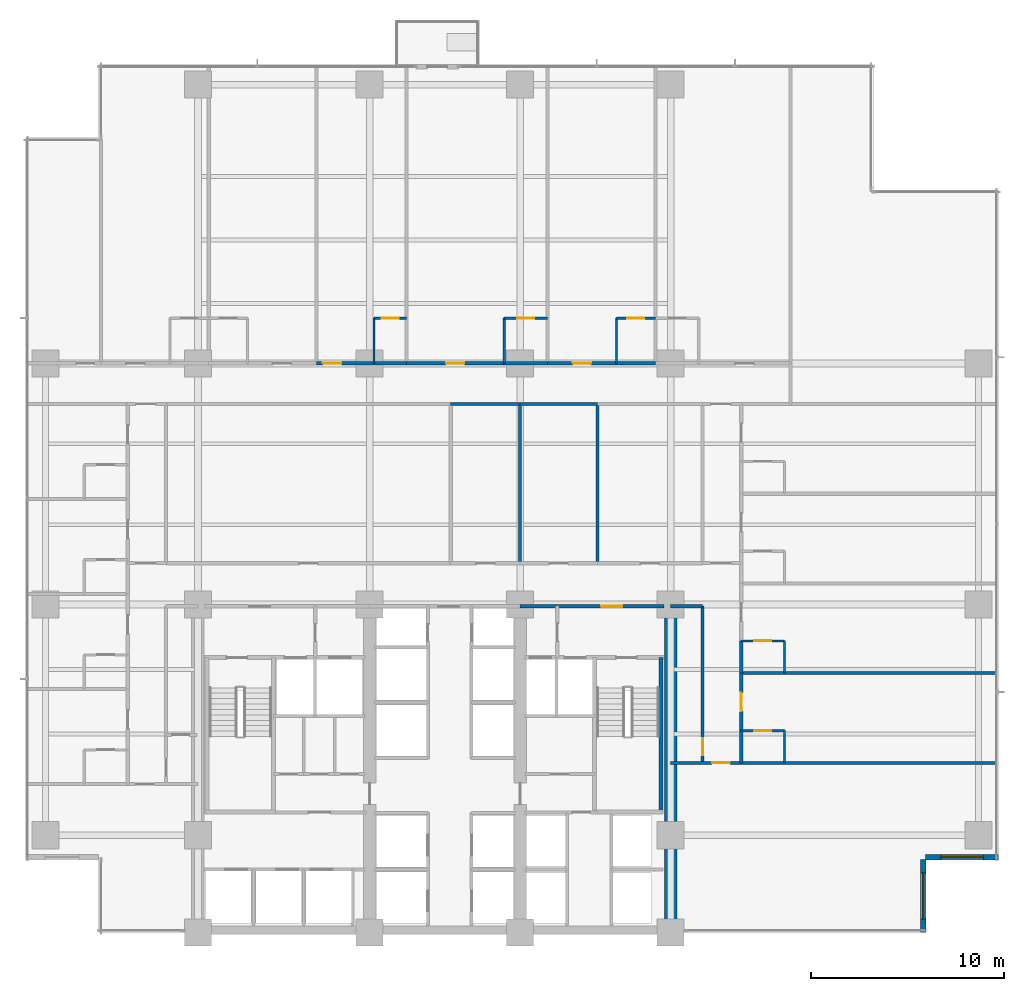
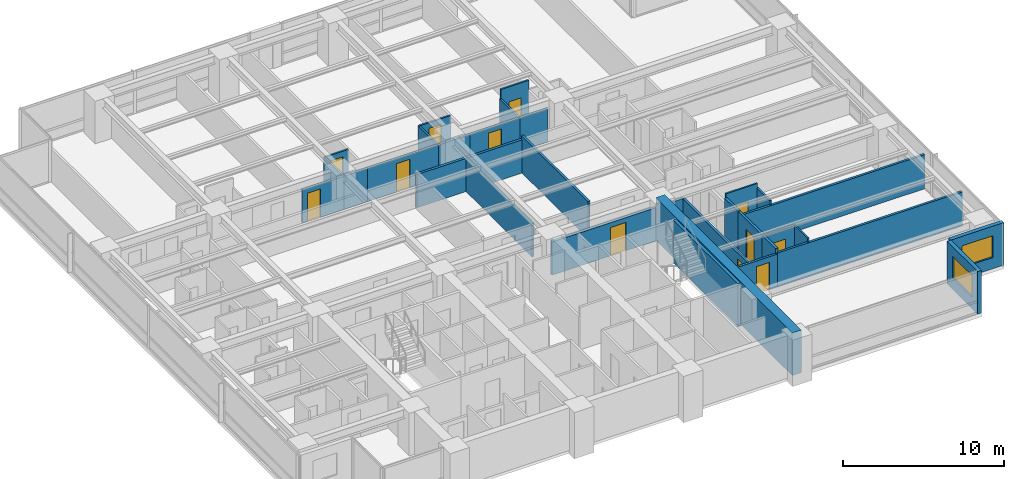
# One storey, part 10 of 17: 33 walls, 12 doors, 2 windows, 14 openings.
"""IFC4 building model written with IfcOpenShell, lengths in metres."""

from ifc_helpers import new_model, si_unit, direction, frame, frame_2d, origin, place, context, subcontext, project, spatial, rectangle, extrude, material, layer, layer_set, type_object, element, fill, save


model = new_model("IFC4")

# Units and contexts
model_context = context("Model", 3, precision=1e-05, world=origin(), true_north=direction((0.0, 1.0)))
body_context = subcontext(model_context, "Body", "Model", "MODEL_VIEW")
ifc_project = project(units=[si_unit("LENGTHUNIT", "METRE"), si_unit("AREAUNIT", "SQUARE_METRE"), si_unit("VOLUMEUNIT", "CUBIC_METRE"), si_unit("PLANEANGLEUNIT", "RADIAN"), si_unit("MASSUNIT", "GRAM", prefix="KILO")], contexts=[model_context])

# Site, building, storey
site_placement = place(None, origin())
site = spatial("IfcSite", under=ifc_project, at=site_placement, CompositionType="ELEMENT")
building_placement = place(site_placement, origin())
building = spatial("IfcBuilding", under=site, at=building_placement, Name="Qalmaran Belvedere Hotel", CompositionType="ELEMENT")
storey_placement = place(building_placement, frame((0.0, 0.0, 61.39990234375)))
storey = spatial("IfcBuildingStorey", under=building, at=storey_placement, Name="L15", CompositionType="ELEMENT", Elevation=61.39990234375)

# Wall
ifc_material_1 = material(Name="Concrete C60/75", Category="concrete")
ifc_layer_1 = layer(ifc_material_1, 0.64990234375, Name="Concrete C60/75")
ifc_layer_set_1 = layer_set([ifc_layer_1], Name="Concrete C60/75")
wall_type_1 = type_object("IfcWallType", Name="WL-CORE-650-C60", PredefinedType="SHEAR", material=ifc_layer_set_1)
wall_1_placement = place(storey_placement, frame((44.800048828125, 3.5, 0.0), z_axis=(0.0, 0.0, 1.0), x_axis=(0.0, 1.0, 0.0)))
element("IfcWall", 1, at=wall_1_placement, inside=storey, type_object=wall_type_1, Name="L15 East Core Shear Wall", PredefinedType="SHEAR", context=body_context, shape_type="SweptSolid", body=[
    extrude(rectangle(XDim=16.89990234375, YDim=0.64990234375, at=frame_2d((8.449951171875, 0.0))), origin(), (0.0, 0.0, 1.0), 3.22021484375),
])

# Wall, opening, window
ifc_material_2 = material(Name="Anodised Bronze Cladding")
ifc_layer_2 = layer(ifc_material_2, 0.280029296875, Name="Anodised Bronze Cladding")
ifc_layer_set_2 = layer_set([ifc_layer_2], Name="Anodised Bronze Cladding")
wall_type_2 = type_object("IfcWallType", Name="WL-EXT-BRNZ-280", PredefinedType="SOLIDWALL", material=ifc_layer_set_2)
wall_2_placement = place(storey_placement, frame((57.8798828125, 3.5, 0.0), z_axis=(0.0, 0.0, 1.0), x_axis=(0.0, 1.0, 0.0)))
wall_2 = element("IfcWall", 2, at=wall_2_placement, inside=storey, type_object=wall_type_2, Name="L15 Corner Notch Wall 1", PredefinedType="SOLIDWALL", context=body_context, shape_type="SweptSolid", body=[
    extrude(rectangle(XDim=3.800048828125, YDim=0.280029296875, at=frame_2d((1.89990234375, 0.0))), origin(), (0.0, 0.0, 1.0), 3.22021484375),
])
opening_1_placement = place(wall_2_placement, frame((0.699951171875, 0.0, 0.85009765625)))
opening_1 = element("IfcOpeningElement", 3, at=opening_1_placement, cuts=wall_2, Name="Opening W-N24", PredefinedType="OPENING", context=body_context, shape_type="SweptSolid", body=[
    extrude(rectangle(XDim=2.39990234375, YDim=1.64990234375, at=frame_2d((1.199951171875, 0.824951171875))), frame((0.0, 0.14990234375, 0.0), z_axis=(0.0, -1.0, 0.0), x_axis=(1.0, 0.0, 0.0)), (0.0, 0.0, 1.0), 0.300048828125),
])
ifc_material_3 = material(Name="Solar-Control Double Glazing", Category="glass")
window_type_1 = type_object("IfcWindowType", Name="WN-NTC-2400X1650", PartitioningType="SINGLE_PANEL", PredefinedType="WINDOW", material=ifc_material_3)
window_1_placement = place(opening_1_placement, origin())
window_1 = element("IfcWindow", 4, at=window_1_placement, inside=storey, type_object=window_type_1, Name="L15 Corner Notch Window 1", OverallHeight=1.64990234375, OverallWidth=2.39990234375, PartitioningType="SINGLE_PANEL", PredefinedType="WINDOW", context=body_context, shape_type="SweptSolid", body=[
    extrude(rectangle(XDim=2.39990234375, YDim=1.64990234375, at=frame_2d((1.199951171875, 0.824951171875))), frame((0.0, 0.030029296875, 0.0), z_axis=(0.0, -1.0, 0.0), x_axis=(1.0, 0.0, 0.0)), (0.0, 0.0, 1.0), 0.06005859375),
])
fill(opening_1, window_1)

wall_3_placement = place(storey_placement, frame((58.0, 7.419921875, 0.0), z_axis=(0.0, 0.0, 1.0), x_axis=(1.0, 0.0, 0.0)))
wall_3 = element("IfcWall", 5, at=wall_3_placement, inside=storey, type_object=wall_type_2, Name="L15 Corner Notch Wall 2", PredefinedType="SOLIDWALL", context=body_context, shape_type="SweptSolid", body=[
    extrude(rectangle(XDim=3.800048828125, YDim=0.280029296875, at=frame_2d((1.89990234375, 0.0))), origin(), (0.0, 0.0, 1.0), 3.22021484375),
])
opening_2_placement = place(wall_3_placement, frame((0.800048828125, 0.0, 0.85009765625)))
opening_2 = element("IfcOpeningElement", 6, at=opening_2_placement, cuts=wall_3, Name="Opening W-N22", PredefinedType="OPENING", context=body_context, shape_type="SweptSolid", body=[
    extrude(rectangle(XDim=2.199951171875, YDim=1.64990234375, at=frame_2d((1.10009765625, 0.824951171875))), frame((0.0, 0.14990234375, 0.0), z_axis=(0.0, -1.0, 0.0), x_axis=(1.0, 0.0, 0.0)), (0.0, 0.0, 1.0), 0.300048828125),
])
window_type_2 = type_object("IfcWindowType", Name="WN-NTC-2200X1650", PartitioningType="SINGLE_PANEL", PredefinedType="WINDOW", material=ifc_material_3)
window_2_placement = place(opening_2_placement, origin())
window_2 = element("IfcWindow", 7, at=window_2_placement, inside=storey, type_object=window_type_2, Name="L15 Corner Notch Window 2", OverallHeight=1.64990234375, OverallWidth=2.199951171875, PartitioningType="SINGLE_PANEL", PredefinedType="WINDOW", context=body_context, shape_type="SweptSolid", body=[
    extrude(rectangle(XDim=2.199951171875, YDim=1.64990234375, at=frame_2d((1.10009765625, 0.824951171875))), frame((0.0, 0.030029296875, 0.0), z_axis=(0.0, -1.0, 0.0), x_axis=(1.0, 0.0, 0.0)), (0.0, 0.0, 1.0), 0.06005859375),
])
fill(opening_2, window_2)

# Wall, opening, door
ifc_material_4 = material(Name="Moisture-Resistant Gypsum")
ifc_layer_3 = layer(ifc_material_4, 0.1201171875, Name="Moisture-Resistant Gypsum")
ifc_layer_set_3 = layer_set([ifc_layer_3], Name="Moisture-Resistant Gypsum")
wall_type_3 = type_object("IfcWallType", Name="WL-INT-120-BATH", PredefinedType="PARTITIONING", material=ifc_layer_set_3)
wall_4_placement = place(storey_placement, frame((29.419921875, 35.35009765625, 0.0), z_axis=(0.0, 0.0, 1.0), x_axis=(1.0, 0.0, 0.0)))
wall_4 = element("IfcWall", 8, at=wall_4_placement, inside=storey, type_object=wall_type_3, Name="L15 Partition WL-L15-NBN02", PredefinedType="PARTITIONING", context=body_context, shape_type="SweptSolid", body=[
    extrude(rectangle(XDim=1.68017578125, YDim=0.1201171875, at=frame_2d((0.840087890625, 0.0))), origin(), (0.0, 0.0, 1.0), 2.510009765625),
])
opening_3_placement = place(wall_4_placement, frame((1.27978515625, 0.0, 0.0), z_axis=(0.0, 0.0, 1.0), x_axis=(-1.0, 0.0, 0.0)))
opening_3 = element("IfcOpeningElement", 9, at=opening_3_placement, cuts=wall_4, Name="Opening D-BATH", PredefinedType="OPENING", context=body_context, shape_type="SweptSolid", body=[
    extrude(rectangle(XDim=0.8798828125, YDim=2.080078125, at=frame_2d((0.43994140625, 1.0400390625))), frame((0.0, 0.070068359375, 0.0), z_axis=(0.0, -1.0, 0.0), x_axis=(1.0, 0.0, 0.0)), (0.0, 0.0, 1.0), 0.14013671875),
])
ifc_material_5 = material(Name="Engineered Oak Veneer")
door_type_1 = type_object("IfcDoorType", Name="DR-INT-BATH-880X2080", OperationType="NOTDEFINED", PredefinedType="DOOR", material=ifc_material_5)
door_1_placement = place(opening_3_placement, origin())
door_1 = element("IfcDoor", 10, at=door_1_placement, inside=storey, type_object=door_type_1, Name="L15 Ensuite Bathroom Door N03", OperationType="SINGLE_SWING_RIGHT", OverallHeight=2.080078125, OverallWidth=0.8798828125, PredefinedType="DOOR", context=body_context, shape_type="SweptSolid", body=[
    extrude(rectangle(XDim=0.8798828125, YDim=2.080078125, at=frame_2d((0.43994140625, 1.0400390625))), frame((0.0, 0.02490234375, 0.0), z_axis=(0.0, -1.0, 0.0), x_axis=(1.0, 0.0, 0.0)), (0.0, 0.0, 1.0), 0.050048828125),
])
fill(opening_3, door_1)

# Wall
wall_5_placement = place(storey_placement, frame((29.419921875, 33.0, 0.0), z_axis=(0.0, 0.0, 1.0), x_axis=(0.0, 1.0, 0.0)))
element("IfcWall", 11, at=wall_5_placement, inside=storey, type_object=wall_type_3, Name="L15 Partition WL-L15-NBS02", PredefinedType="PARTITIONING", context=body_context, shape_type="SweptSolid", body=[
    extrude(rectangle(XDim=2.35009765625, YDim=0.1201171875, at=frame_2d((1.175048828125, 0.0))), origin(), (0.0, 0.0, 1.0), 2.510009765625),
])

# Wall, opening, door
wall_6_placement = place(storey_placement, frame((36.167724609375, 35.35009765625, 0.0), z_axis=(0.0, 0.0, 1.0), x_axis=(1.0, 0.0, 0.0)))
wall_6 = element("IfcWall", 12, at=wall_6_placement, inside=storey, type_object=wall_type_3, Name="L15 Partition WL-L15-NBN03", PredefinedType="PARTITIONING", context=body_context, shape_type="SweptSolid", body=[
    extrude(rectangle(XDim=2.25, YDim=0.1201171875, at=frame_2d((1.125, 0.0))), origin(), (0.0, 0.0, 1.0), 2.510009765625),
])
opening_4_placement = place(wall_6_placement, frame((1.56494140625, 0.0, 0.0), z_axis=(0.0, 0.0, 1.0), x_axis=(-1.0, 0.0, 0.0)))
opening_4 = element("IfcOpeningElement", 13, at=opening_4_placement, cuts=wall_6, Name="Opening D-BATH", PredefinedType="OPENING", context=body_context, shape_type="SweptSolid", body=[
    extrude(rectangle(XDim=0.8798828125, YDim=2.080078125, at=frame_2d((0.43994140625, 1.0400390625))), frame((0.0, 0.070068359375, 0.0), z_axis=(0.0, -1.0, 0.0), x_axis=(1.0, 0.0, 0.0)), (0.0, 0.0, 1.0), 0.14013671875),
])
door_2_placement = place(opening_4_placement, origin())
door_2 = element("IfcDoor", 14, at=door_2_placement, inside=storey, type_object=door_type_1, Name="L15 Ensuite Bathroom Door N04", OperationType="SINGLE_SWING_RIGHT", OverallHeight=2.080078125, OverallWidth=0.8798828125, PredefinedType="DOOR", context=body_context, shape_type="SweptSolid", body=[
    extrude(rectangle(XDim=0.8798828125, YDim=2.080078125, at=frame_2d((0.43994140625, 1.0400390625))), frame((0.0, 0.02490234375, 0.0), z_axis=(0.0, -1.0, 0.0), x_axis=(1.0, 0.0, 0.0)), (0.0, 0.0, 1.0), 0.050048828125),
])
fill(opening_4, door_2)

# Wall
wall_7_placement = place(storey_placement, frame((36.167724609375, 33.0, 0.0), z_axis=(0.0, 0.0, 1.0), x_axis=(0.0, 1.0, 0.0)))
element("IfcWall", 15, at=wall_7_placement, inside=storey, type_object=wall_type_3, Name="L15 Partition WL-L15-NBS03", PredefinedType="PARTITIONING", context=body_context, shape_type="SweptSolid", body=[
    extrude(rectangle(XDim=2.35009765625, YDim=0.1201171875, at=frame_2d((1.175048828125, 0.0))), origin(), (0.0, 0.0, 1.0), 2.510009765625),
])

# Wall, opening, door
wall_8_placement = place(storey_placement, frame((41.9951171875, 35.35009765625, 0.0), z_axis=(0.0, 0.0, 1.0), x_axis=(1.0, 0.0, 0.0)))
wall_8 = element("IfcWall", 16, at=wall_8_placement, inside=storey, type_object=wall_type_3, Name="L15 Partition WL-L15-NBN04", PredefinedType="PARTITIONING", context=body_context, shape_type="SweptSolid", body=[
    extrude(rectangle(XDim=2.010009765625, YDim=0.1201171875, at=frame_2d((1.0048828125, 0.0))), origin(), (0.0, 0.0, 1.0), 3.22021484375),
])
opening_5_placement = place(wall_8_placement, frame((1.44482421875, 0.0, 0.0), z_axis=(0.0, 0.0, 1.0), x_axis=(-1.0, 0.0, 0.0)))
opening_5 = element("IfcOpeningElement", 17, at=opening_5_placement, cuts=wall_8, Name="Opening D-BATH", PredefinedType="OPENING", context=body_context, shape_type="SweptSolid", body=[
    extrude(rectangle(XDim=0.8798828125, YDim=2.080078125, at=frame_2d((0.43994140625, 1.0400390625))), frame((0.0, 0.070068359375, 0.0), z_axis=(0.0, -1.0, 0.0), x_axis=(1.0, 0.0, 0.0)), (0.0, 0.0, 1.0), 0.14013671875),
])
door_3_placement = place(opening_5_placement, origin())
door_3 = element("IfcDoor", 18, at=door_3_placement, inside=storey, type_object=door_type_1, Name="L15 Ensuite Bathroom Door N05", OperationType="SINGLE_SWING_RIGHT", OverallHeight=2.080078125, OverallWidth=0.8798828125, PredefinedType="DOOR", context=body_context, shape_type="SweptSolid", body=[
    extrude(rectangle(XDim=0.8798828125, YDim=2.080078125, at=frame_2d((0.43994140625, 1.0400390625))), frame((0.0, 0.02490234375, 0.0), z_axis=(0.0, -1.0, 0.0), x_axis=(1.0, 0.0, 0.0)), (0.0, 0.0, 1.0), 0.050048828125),
])
fill(opening_5, door_3)

# Wall
wall_9_placement = place(storey_placement, frame((41.9951171875, 33.0, 0.0), z_axis=(0.0, 0.0, 1.0), x_axis=(0.0, 1.0, 0.0)))
element("IfcWall", 19, at=wall_9_placement, inside=storey, type_object=wall_type_3, Name="L15 Partition WL-L15-NBS04", PredefinedType="PARTITIONING", context=body_context, shape_type="SweptSolid", body=[
    extrude(rectangle(XDim=2.35009765625, YDim=0.1201171875, at=frame_2d((1.175048828125, 0.0))), origin(), (0.0, 0.0, 1.0), 2.510009765625),
])

# Wall, opening, door
wall_10_placement = place(storey_placement, frame((48.449951171875, 13.969970703125, 0.0), z_axis=(0.0, 0.0, 1.0), x_axis=(1.0, 0.0, 0.0)))
wall_10 = element("IfcWall", 20, at=wall_10_placement, inside=storey, type_object=wall_type_3, Name="L15 Partition WL-L15-EBN00", PredefinedType="PARTITIONING", context=body_context, shape_type="SweptSolid", body=[
    extrude(rectangle(XDim=2.25, YDim=0.1201171875, at=frame_2d((1.125, 0.0))), origin(), (0.0, 0.0, 1.0), 2.902099609375),
])
opening_6_placement = place(wall_10_placement, frame((1.56494140625, 0.0, 0.0), z_axis=(0.0, 0.0, 1.0), x_axis=(-1.0, 0.0, 0.0)))
opening_6 = element("IfcOpeningElement", 21, at=opening_6_placement, cuts=wall_10, Name="Opening D-BATH", PredefinedType="OPENING", context=body_context, shape_type="SweptSolid", body=[
    extrude(rectangle(XDim=0.8798828125, YDim=2.080078125, at=frame_2d((0.43994140625, 1.0400390625))), frame((0.0, 0.070068359375, 0.0), z_axis=(0.0, -1.0, 0.0), x_axis=(1.0, 0.0, 0.0)), (0.0, 0.0, 1.0), 0.14013671875),
])
door_4_placement = place(opening_6_placement, origin())
door_4 = element("IfcDoor", 22, at=door_4_placement, inside=storey, type_object=door_type_1, Name="L15 E Ensuite Door 01", OperationType="SINGLE_SWING_RIGHT", OverallHeight=2.080078125, OverallWidth=0.8798828125, PredefinedType="DOOR", context=body_context, shape_type="SweptSolid", body=[
    extrude(rectangle(XDim=0.8798828125, YDim=2.080078125, at=frame_2d((0.43994140625, 1.0400390625))), frame((0.0, 0.02490234375, 0.0), z_axis=(0.0, -1.0, 0.0), x_axis=(1.0, 0.0, 0.0)), (0.0, 0.0, 1.0), 0.050048828125),
])
fill(opening_6, door_4)

# Wall
wall_11_placement = place(storey_placement, frame((50.699951171875, 12.300048828125, 0.0), z_axis=(0.0, 0.0, 1.0), x_axis=(0.0, 1.0, 0.0)))
element("IfcWall", 23, at=wall_11_placement, inside=storey, type_object=wall_type_3, Name="L15 Partition WL-L15-EBS00", PredefinedType="PARTITIONING", context=body_context, shape_type="SweptSolid", body=[
    extrude(rectangle(XDim=1.669921875, YDim=0.1201171875, at=frame_2d((0.8349609375, 0.0))), origin(), (0.0, 0.0, 1.0), 2.902099609375),
])

# Wall, opening, door
wall_12_placement = place(storey_placement, frame((48.449951171875, 18.6201171875, 0.0), z_axis=(0.0, 0.0, 1.0), x_axis=(1.0, 0.0, 0.0)))
wall_12 = element("IfcWall", 24, at=wall_12_placement, inside=storey, type_object=wall_type_3, Name="L15 Partition WL-L15-EBN01", PredefinedType="PARTITIONING", context=body_context, shape_type="SweptSolid", body=[
    extrude(rectangle(XDim=2.25, YDim=0.1201171875, at=frame_2d((1.125, 0.0))), origin(), (0.0, 0.0, 1.0), 3.22021484375),
])
opening_7_placement = place(wall_12_placement, frame((1.56494140625, 0.0, 0.0), z_axis=(0.0, 0.0, 1.0), x_axis=(-1.0, 0.0, 0.0)))
opening_7 = element("IfcOpeningElement", 25, at=opening_7_placement, cuts=wall_12, Name="Opening D-BATH", PredefinedType="OPENING", context=body_context, shape_type="SweptSolid", body=[
    extrude(rectangle(XDim=0.8798828125, YDim=2.080078125, at=frame_2d((0.43994140625, 1.0400390625))), frame((0.0, 0.070068359375, 0.0), z_axis=(0.0, -1.0, 0.0), x_axis=(1.0, 0.0, 0.0)), (0.0, 0.0, 1.0), 0.14013671875),
])
door_5_placement = place(opening_7_placement, origin())
door_5 = element("IfcDoor", 26, at=door_5_placement, inside=storey, type_object=door_type_1, Name="L15 E Ensuite Door 02", OperationType="SINGLE_SWING_RIGHT", OverallHeight=2.080078125, OverallWidth=0.8798828125, PredefinedType="DOOR", context=body_context, shape_type="SweptSolid", body=[
    extrude(rectangle(XDim=0.8798828125, YDim=2.080078125, at=frame_2d((0.43994140625, 1.0400390625))), frame((0.0, 0.02490234375, 0.0), z_axis=(0.0, -1.0, 0.0), x_axis=(1.0, 0.0, 0.0)), (0.0, 0.0, 1.0), 0.050048828125),
])
fill(opening_7, door_5)

# Wall
wall_13_placement = place(storey_placement, frame((50.699951171875, 16.949951171875, 0.0), z_axis=(0.0, 0.0, 1.0), x_axis=(0.0, 1.0, 0.0)))
element("IfcWall", 27, at=wall_13_placement, inside=storey, type_object=wall_type_3, Name="L15 Partition WL-L15-EBS01", PredefinedType="PARTITIONING", context=body_context, shape_type="SweptSolid", body=[
    extrude(rectangle(XDim=1.670166015625, YDim=0.1201171875, at=frame_2d((0.8349609375, 0.0))), origin(), (0.0, 0.0, 1.0), 2.902099609375),
])

# Wall, opening, door
ifc_material_6 = material(Name="Gypsum Stud Partition")
ifc_layer_4 = layer(ifc_material_6, 0.159912109375, Name="Gypsum Stud Partition")
ifc_layer_set_4 = layer_set([ifc_layer_4], Name="Gypsum Stud Partition")
wall_type_4 = type_object("IfcWallType", Name="WL-INT-160-EI60", PredefinedType="PARTITIONING", material=ifc_layer_set_4)
wall_14_placement = place(storey_placement, frame((44.800048828125, 12.300048828125, 0.0), z_axis=(0.0, 0.0, 1.0), x_axis=(1.0, 0.0, 0.0)))
wall_14 = element("IfcWall", 28, at=wall_14_placement, inside=storey, type_object=wall_type_4, Name="L15 Partition WL-L15-SERL", PredefinedType="PARTITIONING", context=body_context, shape_type="SweptSolid", body=[
    extrude(rectangle(XDim=3.64990234375, YDim=0.159912109375, at=frame_2d((1.824951171875, 0.0))), origin(), (0.0, 0.0, 1.0), 2.510009765625),
])
opening_8_placement = place(wall_14_placement, frame((3.06982421875, 0.0, 0.0), z_axis=(0.0, 0.0, 1.0), x_axis=(-1.0, 0.0, 0.0)))
opening_8 = element("IfcOpeningElement", 29, at=opening_8_placement, cuts=wall_14, Name="Opening FD60S1", PredefinedType="OPENING", context=body_context, shape_type="SweptSolid", body=[
    extrude(rectangle(XDim=0.919921875, YDim=2.080078125, at=frame_2d((0.4599609375, 1.0400390625))), frame((0.0, 0.08984375, 0.0), z_axis=(0.0, -1.0, 0.0), x_axis=(1.0, 0.0, 0.0)), (0.0, 0.0, 1.0), 0.179931640625),
])
door_type_2 = type_object("IfcDoorType", Name="DR-FD60S-920X2080", OperationType="NOTDEFINED", PredefinedType="DOOR", material=ifc_material_5)
door_6_placement = place(opening_8_placement, origin())
door_6 = element("IfcDoor", 30, at=door_6_placement, inside=storey, type_object=door_type_2, Name="L15 SE Lounge Door", OperationType="SINGLE_SWING_LEFT", OverallHeight=2.080078125, OverallWidth=0.919921875, PredefinedType="DOOR", context=body_context, shape_type="SweptSolid", body=[
    extrude(rectangle(XDim=0.919921875, YDim=2.080078125, at=frame_2d((0.4599609375, 1.0400390625))), frame((0.0, 0.02490234375, 0.0), z_axis=(0.0, -1.0, 0.0), x_axis=(1.0, 0.0, 0.0)), (0.0, 0.0, 1.0), 0.050048828125),
])
fill(opening_8, door_6)

wall_15_placement = place(storey_placement, frame((46.449951171875, 12.300048828125, 0.0), z_axis=(0.0, 0.0, 1.0), x_axis=(0.0, 1.0, 0.0)))
wall_15 = element("IfcWall", 31, at=wall_15_placement, inside=storey, type_object=wall_type_4, Name="L15 Partition WL-L15-ECL", PredefinedType="PARTITIONING", context=body_context, shape_type="SweptSolid", body=[
    extrude(rectangle(XDim=8.119873046875, YDim=0.159912109375, at=frame_2d((4.06005859375, 0.0))), origin(), (0.0, 0.0, 1.0), 2.510009765625),
])
opening_9_placement = place(wall_15_placement, frame((0.39990234375, 0.0, 0.0)))
opening_9 = element("IfcOpeningElement", 32, at=opening_9_placement, cuts=wall_15, Name="Opening FD60B", PredefinedType="OPENING", context=body_context, shape_type="SweptSolid", body=[
    extrude(rectangle(XDim=0.8798828125, YDim=2.080078125, at=frame_2d((0.43994140625, 1.0400390625))), frame((0.0, 0.08984375, 0.0), z_axis=(0.0, -1.0, 0.0), x_axis=(1.0, 0.0, 0.0)), (0.0, 0.0, 1.0), 0.179931640625),
])
ifc_material_7 = material(Name="Steel S355JR", Category="steel")
door_type_3 = type_object("IfcDoorType", Name="DR-FD60B-880X2080", OperationType="NOTDEFINED", PredefinedType="DOOR", material=ifc_material_7)
door_7_placement = place(opening_9_placement, origin())
door_7 = element("IfcDoor", 33, at=door_7_placement, inside=storey, type_object=door_type_3, Name="L15 East Closet Door", OperationType="SINGLE_SWING_LEFT", OverallHeight=2.080078125, OverallWidth=0.8798828125, PredefinedType="DOOR", context=body_context, shape_type="SweptSolid", body=[
    extrude(rectangle(XDim=0.8798828125, YDim=2.080078125, at=frame_2d((0.43994140625, 1.0400390625))), frame((0.0, 0.02490234375, 0.0), z_axis=(0.0, -1.0, 0.0), x_axis=(1.0, 0.0, 0.0)), (0.0, 0.0, 1.0), 0.050048828125),
])
fill(opening_9, door_7)

# Walls
wall_16_placement = place(storey_placement, frame((44.800048828125, 20.419921875, 0.0), z_axis=(0.0, 0.0, 1.0), x_axis=(1.0, 0.0, 0.0)))
element("IfcWall", 34, at=wall_16_placement, inside=storey, type_object=wall_type_4, Name="L15 Partition WL-L15-ECLN", PredefinedType="PARTITIONING", context=body_context, shape_type="SweptSolid", body=[
    extrude(rectangle(XDim=1.64990234375, YDim=0.159912109375, at=frame_2d((0.824951171875, 0.0))), origin(), (0.0, 0.0, 1.0), 2.510009765625),
])
wall_17_placement = place(storey_placement, frame((37.0, 22.64990234375, 0.0), z_axis=(0.0, 0.0, 1.0), x_axis=(0.0, 1.0, 0.0)))
element("IfcWall", 35, at=wall_17_placement, inside=storey, type_object=wall_type_4, Name="L15 Partition WL-L15-MIDVR2", PredefinedType="PARTITIONING", context=body_context, shape_type="SweptSolid", body=[
    extrude(rectangle(XDim=8.25, YDim=0.159912109375, at=frame_2d((4.125, 0.0))), origin(), (0.0, 0.0, 1.0), 2.510009765625),
])
wall_18_placement = place(storey_placement, frame((41.0, 22.64990234375, 0.0), z_axis=(0.0, 0.0, 1.0), x_axis=(0.0, 1.0, 0.0)))
element("IfcWall", 36, at=wall_18_placement, inside=storey, type_object=wall_type_4, Name="L15 Partition WL-L15-MIDVR3", PredefinedType="PARTITIONING", context=body_context, shape_type="SweptSolid", body=[
    extrude(rectangle(XDim=8.25, YDim=0.159912109375, at=frame_2d((4.125, 0.0))), origin(), (0.0, 0.0, 1.0), 2.7880859375),
])
for number, where, z_axis, x_axis, name in (
    (37, (48.449951171875, 12.300048828125, 0.0), (0.0, 0.0, 1.0), (1.0, 0.0, 0.0), "L15 Partition WL-L15-EBOT"),
    (38, (48.449951171875, 16.949951171875, 0.0), (0.0, 0.0, 1.0), (1.0, 0.0, 0.0), "L15 Partition WL-L15-EU00"),
):
    element("IfcWall", number, at=place(storey_placement, frame(where, z_axis=z_axis, x_axis=x_axis)), inside=storey, type_object=wall_type_4, Name=name, PredefinedType="PARTITIONING", context=body_context, shape_type="SweptSolid", body=[
        extrude(rectangle(XDim=13.22998046875, YDim=0.159912109375, at=frame_2d((6.614990234375, 0.0))), origin(), (0.0, 0.0, 1.0), 2.5830078125),
    ])
ifc_layer_5 = layer(ifc_material_6, 0.179931640625, Name="Gypsum Stud Partition")
ifc_layer_set_5 = layer_set([ifc_layer_5], Name="Gypsum Stud Partition")
wall_type_5 = type_object("IfcWallType", Name="WL-INT-180-EI60", PredefinedType="PARTITIONING", material=ifc_layer_set_5)
wall_19_placement = place(storey_placement, frame((33.39990234375, 30.89990234375, 0.0), z_axis=(0.0, 0.0, 1.0), x_axis=(1.0, 0.0, 0.0)))
element("IfcWall", 39, at=wall_19_placement, inside=storey, type_object=wall_type_5, Name="L15 Partition WL-L15-MIDO2", PredefinedType="PARTITIONING", context=body_context, shape_type="SweptSolid", body=[
    extrude(rectangle(XDim=3.60009765625, YDim=0.179931640625, at=frame_2d((1.800048828125, 0.0))), origin(), (0.0, 0.0, 1.0), 2.510009765625),
])
wall_20_placement = place(storey_placement, frame((37.0, 30.89990234375, 0.0), z_axis=(0.0, 0.0, 1.0), x_axis=(1.0, 0.0, 0.0)))
element("IfcWall", 40, at=wall_20_placement, inside=storey, type_object=wall_type_5, Name="L15 Partition WL-L15-MIDO3", PredefinedType="PARTITIONING", context=body_context, shape_type="SweptSolid", body=[
    extrude(rectangle(XDim=4.0, YDim=0.179931640625, at=frame_2d((2.0, 0.0))), origin(), (0.0, 0.0, 1.0), 2.510009765625),
])
wall_21_placement = place(storey_placement, frame((29.419921875, 33.0, 0.0), z_axis=(0.0, 0.0, 1.0), x_axis=(1.0, 0.0, 0.0)))
element("IfcWall", 41, at=wall_21_placement, inside=storey, type_object=wall_type_5, Name="L15 Partition WL-L15-NBC02", PredefinedType="PARTITIONING", context=body_context, shape_type="SweptSolid", body=[
    extrude(rectangle(XDim=1.68017578125, YDim=0.179931640625, at=frame_2d((0.840087890625, 0.0))), origin(), (0.0, 0.0, 1.0), 2.510009765625),
])

# Wall, opening, door
wall_22_placement = place(storey_placement, frame((26.44482421875, 33.0, 0.0), z_axis=(0.0, 0.0, 1.0), x_axis=(1.0, 0.0, 0.0)))
wall_22 = element("IfcWall", 42, at=wall_22_placement, inside=storey, type_object=wall_type_5, Name="L15 Partition WL-L15-NEC02", PredefinedType="PARTITIONING", context=body_context, shape_type="SweptSolid", body=[
    extrude(rectangle(XDim=2.97509765625, YDim=0.179931640625, at=frame_2d((1.487548828125, 0.0))), origin(), (0.0, 0.0, 1.0), 2.510009765625),
])
opening_10_placement = place(wall_22_placement, frame((0.333251953125, 0.0, 0.0)))
opening_10 = element("IfcOpeningElement", 43, at=opening_10_placement, cuts=wall_22, Name="Opening FD60", PredefinedType="OPENING", context=body_context, shape_type="SweptSolid", body=[
    extrude(rectangle(XDim=0.949951171875, YDim=2.14990234375, at=frame_2d((0.47509765625, 1.074951171875))), frame((0.0, 0.10009765625, 0.0), z_axis=(0.0, -1.0, 0.0), x_axis=(1.0, 0.0, 0.0)), (0.0, 0.0, 1.0), 0.199951171875),
])
door_type_4 = type_object("IfcDoorType", Name="DR-FD60-950X2150", OperationType="NOTDEFINED", PredefinedType="DOOR", material=ifc_material_5)
door_8_placement = place(opening_10_placement, origin())
door_8 = element("IfcDoor", 44, at=door_8_placement, inside=storey, type_object=door_type_4, Name="L15 Guest Entrance Door N03", OperationType="SINGLE_SWING_LEFT", OverallHeight=2.14990234375, OverallWidth=0.949951171875, PredefinedType="DOOR", context=body_context, shape_type="SweptSolid", body=[
    extrude(rectangle(XDim=0.949951171875, YDim=2.14990234375, at=frame_2d((0.47509765625, 1.074951171875))), frame((0.0, 0.02490234375, 0.0), z_axis=(0.0, -1.0, 0.0), x_axis=(1.0, 0.0, 0.0)), (0.0, 0.0, 1.0), 0.050048828125),
])
fill(opening_10, door_8)

# Wall
wall_23_placement = place(storey_placement, frame((36.167724609375, 33.0, 0.0), z_axis=(0.0, 0.0, 1.0), x_axis=(1.0, 0.0, 0.0)))
element("IfcWall", 45, at=wall_23_placement, inside=storey, type_object=wall_type_5, Name="L15 Partition WL-L15-NBC03", PredefinedType="PARTITIONING", context=body_context, shape_type="SweptSolid", body=[
    extrude(rectangle(XDim=2.25, YDim=0.179931640625, at=frame_2d((1.125, 0.0))), origin(), (0.0, 0.0, 1.0), 2.510009765625),
])

# Wall, opening, door
wall_24_placement = place(storey_placement, frame((31.10009765625, 33.0, 0.0), z_axis=(0.0, 0.0, 1.0), x_axis=(1.0, 0.0, 0.0)))
wall_24 = element("IfcWall", 46, at=wall_24_placement, inside=storey, type_object=wall_type_5, Name="L15 Partition WL-L15-NEC03", PredefinedType="PARTITIONING", context=body_context, shape_type="SweptSolid", body=[
    extrude(rectangle(XDim=5.067626953125, YDim=0.179931640625, at=frame_2d((2.53369140625, 0.0))), origin(), (0.0, 0.0, 1.0), 2.510009765625),
])
opening_11_placement = place(wall_24_placement, frame((2.058837890625, 0.0, 0.0)))
opening_11 = element("IfcOpeningElement", 47, at=opening_11_placement, cuts=wall_24, Name="Opening FD60", PredefinedType="OPENING", context=body_context, shape_type="SweptSolid", body=[
    extrude(rectangle(XDim=0.949951171875, YDim=2.14990234375, at=frame_2d((0.47509765625, 1.074951171875))), frame((0.0, 0.10009765625, 0.0), z_axis=(0.0, -1.0, 0.0), x_axis=(1.0, 0.0, 0.0)), (0.0, 0.0, 1.0), 0.199951171875),
])
door_9_placement = place(opening_11_placement, origin())
door_9 = element("IfcDoor", 48, at=door_9_placement, inside=storey, type_object=door_type_4, Name="L15 Guest Entrance Door N04", OperationType="SINGLE_SWING_LEFT", OverallHeight=2.14990234375, OverallWidth=0.949951171875, PredefinedType="DOOR", context=body_context, shape_type="SweptSolid", body=[
    extrude(rectangle(XDim=0.949951171875, YDim=2.14990234375, at=frame_2d((0.47509765625, 1.074951171875))), frame((0.0, 0.02490234375, 0.0), z_axis=(0.0, -1.0, 0.0), x_axis=(1.0, 0.0, 0.0)), (0.0, 0.0, 1.0), 0.050048828125),
])
fill(opening_11, door_9)

# Wall
wall_25_placement = place(storey_placement, frame((41.9951171875, 33.0, 0.0), z_axis=(0.0, 0.0, 1.0), x_axis=(1.0, 0.0, 0.0)))
element("IfcWall", 49, at=wall_25_placement, inside=storey, type_object=wall_type_5, Name="L15 Partition WL-L15-NBC04", PredefinedType="PARTITIONING", context=body_context, shape_type="SweptSolid", body=[
    extrude(rectangle(XDim=2.010009765625, YDim=0.179931640625, at=frame_2d((1.0048828125, 0.0))), origin(), (0.0, 0.0, 1.0), 2.510009765625),
])

# Wall, opening, door
wall_26_placement = place(storey_placement, frame((38.417724609375, 33.0, 0.0), z_axis=(0.0, 0.0, 1.0), x_axis=(1.0, 0.0, 0.0)))
wall_26 = element("IfcWall", 50, at=wall_26_placement, inside=storey, type_object=wall_type_5, Name="L15 Partition WL-L15-NEC04", PredefinedType="PARTITIONING", context=body_context, shape_type="SweptSolid", body=[
    extrude(rectangle(XDim=3.577392578125, YDim=0.179931640625, at=frame_2d((1.78857421875, 0.0))), origin(), (0.0, 0.0, 1.0), 2.510009765625),
])
opening_12_placement = place(wall_26_placement, frame((1.313720703125, 0.0, 0.0)))
opening_12 = element("IfcOpeningElement", 51, at=opening_12_placement, cuts=wall_26, Name="Opening FD60", PredefinedType="OPENING", context=body_context, shape_type="SweptSolid", body=[
    extrude(rectangle(XDim=0.949951171875, YDim=2.14990234375, at=frame_2d((0.47509765625, 1.074951171875))), frame((0.0, 0.10009765625, 0.0), z_axis=(0.0, -1.0, 0.0), x_axis=(1.0, 0.0, 0.0)), (0.0, 0.0, 1.0), 0.199951171875),
])
door_10_placement = place(opening_12_placement, origin())
door_10 = element("IfcDoor", 52, at=door_10_placement, inside=storey, type_object=door_type_4, Name="L15 Guest Entrance Door N05", OperationType="SINGLE_SWING_LEFT", OverallHeight=2.14990234375, OverallWidth=0.949951171875, PredefinedType="DOOR", context=body_context, shape_type="SweptSolid", body=[
    extrude(rectangle(XDim=0.949951171875, YDim=2.14990234375, at=frame_2d((0.47509765625, 1.074951171875))), frame((0.0, 0.02490234375, 0.0), z_axis=(0.0, -1.0, 0.0), x_axis=(1.0, 0.0, 0.0)), (0.0, 0.0, 1.0), 0.050048828125),
])
fill(opening_12, door_10)

# Wall
wall_27_placement = place(storey_placement, frame((48.449951171875, 12.300048828125, 0.0), z_axis=(0.0, 0.0, 1.0), x_axis=(0.0, 1.0, 0.0)))
element("IfcWall", 53, at=wall_27_placement, inside=storey, type_object=wall_type_5, Name="L15 Partition WL-L15-EBC00", PredefinedType="PARTITIONING", context=body_context, shape_type="SweptSolid", body=[
    extrude(rectangle(XDim=1.669921875, YDim=0.179931640625, at=frame_2d((0.8349609375, 0.0))), origin(), (0.0, 0.0, 1.0), 2.902099609375),
])

# Wall, opening, door
wall_28_placement = place(storey_placement, frame((48.449951171875, 13.969970703125, 0.0), z_axis=(0.0, 0.0, 1.0), x_axis=(0.0, 1.0, 0.0)))
wall_28 = element("IfcWall", 54, at=wall_28_placement, inside=storey, type_object=wall_type_5, Name="L15 Partition WL-L15-EEC00", PredefinedType="PARTITIONING", context=body_context, shape_type="SweptSolid", body=[
    extrude(rectangle(XDim=2.97998046875, YDim=0.179931640625, at=frame_2d((1.489990234375, 0.0))), origin(), (0.0, 0.0, 1.0), 2.902099609375),
])
opening_13_placement = place(wall_28_placement, frame((1.96484375, 0.0, 0.0), z_axis=(0.0, 0.0, 1.0), x_axis=(-1.0, 0.0, 0.0)))
opening_13 = element("IfcOpeningElement", 55, at=opening_13_placement, cuts=wall_28, Name="Opening FD60", PredefinedType="OPENING", context=body_context, shape_type="SweptSolid", body=[
    extrude(rectangle(XDim=0.949951171875, YDim=2.14990234375, at=frame_2d((0.47509765625, 1.074951171875))), frame((0.0, 0.10009765625, 0.0), z_axis=(0.0, -1.0, 0.0), x_axis=(1.0, 0.0, 0.0)), (0.0, 0.0, 1.0), 0.199951171875),
])
door_11_placement = place(opening_13_placement, origin())
door_11 = element("IfcDoor", 56, at=door_11_placement, inside=storey, type_object=door_type_4, Name="L15 E Wing Door 01", OperationType="SINGLE_SWING_LEFT", OverallHeight=2.14990234375, OverallWidth=0.949951171875, PredefinedType="DOOR", context=body_context, shape_type="SweptSolid", body=[
    extrude(rectangle(XDim=0.949951171875, YDim=2.14990234375, at=frame_2d((0.47509765625, 1.074951171875))), frame((0.0, 0.02490234375, 0.0), z_axis=(0.0, -1.0, 0.0), x_axis=(1.0, 0.0, 0.0)), (0.0, 0.0, 1.0), 0.050048828125),
])
fill(opening_13, door_11)

# Wall
wall_29_placement = place(storey_placement, frame((48.449951171875, 16.949951171875, 0.0), z_axis=(0.0, 0.0, 1.0), x_axis=(0.0, 1.0, 0.0)))
element("IfcWall", 57, at=wall_29_placement, inside=storey, type_object=wall_type_5, Name="L15 Partition WL-L15-EBC01", PredefinedType="PARTITIONING", context=body_context, shape_type="SweptSolid", body=[
    extrude(rectangle(XDim=1.670166015625, YDim=0.179931640625, at=frame_2d((0.8349609375, 0.0))), origin(), (0.0, 0.0, 1.0), 2.902099609375),
])

# Wall, opening, door
ifc_material_8 = material(Name="Concrete C30/37 Blockwork", Category="masonry")
ifc_layer_6 = layer(ifc_material_8, 0.199951171875, Name="Concrete C30/37 Blockwork")
ifc_layer_set_6 = layer_set([ifc_layer_6], Name="Concrete C30/37 Blockwork")
wall_type_6 = type_object("IfcWallType", Name="WL-INT-200-EI120", PredefinedType="PARTITIONING", material=ifc_layer_set_6)
wall_30_placement = place(storey_placement, frame((37.0, 20.419921875, 0.0), z_axis=(0.0, 0.0, 1.0), x_axis=(1.0, 0.0, 0.0)))
wall_30 = element("IfcWall", 58, at=wall_30_placement, inside=storey, type_object=wall_type_6, Name="L15 Partition WL-CN3-L15", PredefinedType="PARTITIONING", context=body_context, shape_type="SweptSolid", body=[
    extrude(rectangle(XDim=7.449951171875, YDim=0.199951171875, at=frame_2d((3.72509765625, 0.0))), origin(), (0.0, 0.0, 1.0), 2.510009765625),
])
opening_14_placement = place(wall_30_placement, frame((4.199951171875, 0.0, 0.0)))
opening_14 = element("IfcOpeningElement", 59, at=opening_14_placement, cuts=wall_30, Name="Opening FD90", PredefinedType="OPENING", context=body_context, shape_type="SweptSolid", body=[
    extrude(rectangle(XDim=1.10009765625, YDim=2.14990234375, at=frame_2d((0.550048828125, 1.074951171875))), frame((0.0, 0.10986328125, 0.0), z_axis=(0.0, -1.0, 0.0), x_axis=(1.0, 0.0, 0.0)), (0.0, 0.0, 1.0), 0.219970703125),
])
door_type_5 = type_object("IfcDoorType", Name="DR-FD90-1100X2150", OperationType="NOTDEFINED", PredefinedType="DOOR", material=ifc_material_7)
door_12_placement = place(opening_14_placement, origin())
door_12 = element("IfcDoor", 60, at=door_12_placement, inside=storey, type_object=door_type_5, Name="L15 FF2 Lobby Corridor Door", OperationType="SINGLE_SWING_LEFT", OverallHeight=2.14990234375, OverallWidth=1.10009765625, PredefinedType="DOOR", context=body_context, shape_type="SweptSolid", body=[
    extrude(rectangle(XDim=1.10009765625, YDim=2.14990234375, at=frame_2d((0.550048828125, 1.074951171875))), frame((0.0, 0.02490234375, 0.0), z_axis=(0.0, -1.0, 0.0), x_axis=(1.0, 0.0, 0.0)), (0.0, 0.0, 1.0), 0.050048828125),
])
fill(opening_14, door_12)

# Wall
ifc_material_9 = material(Name="Concrete C50/60", Category="concrete")
ifc_layer_7 = layer(ifc_material_9, 0.2099609375, Name="Concrete C50/60")
ifc_layer_set_7 = layer_set([ifc_layer_7], Name="Concrete C50/60")
wall_type_7 = type_object("IfcWallType", Name="WL-STAIR-210-C50", PredefinedType="SHEAR", material=ifc_layer_set_7)
wall_31_placement = place(storey_placement, frame((44.304931640625, 9.7451171875, 0.0), z_axis=(0.0, 0.0, 1.0), x_axis=(0.0, 1.0, 0.0)))
element("IfcWall", 61, at=wall_31_placement, inside=storey, type_object=wall_type_7, Name="L15 Stair ST-2 East Bearing Wall", PredefinedType="SHEAR", context=body_context, shape_type="SweptSolid", body=[
    extrude(rectangle(XDim=8.009765625, YDim=0.2099609375, at=frame_2d((4.0048828125, 0.0))), origin(), (0.0, 0.0, 1.0), 3.22021484375),
])

save(model, "model.ifc")
